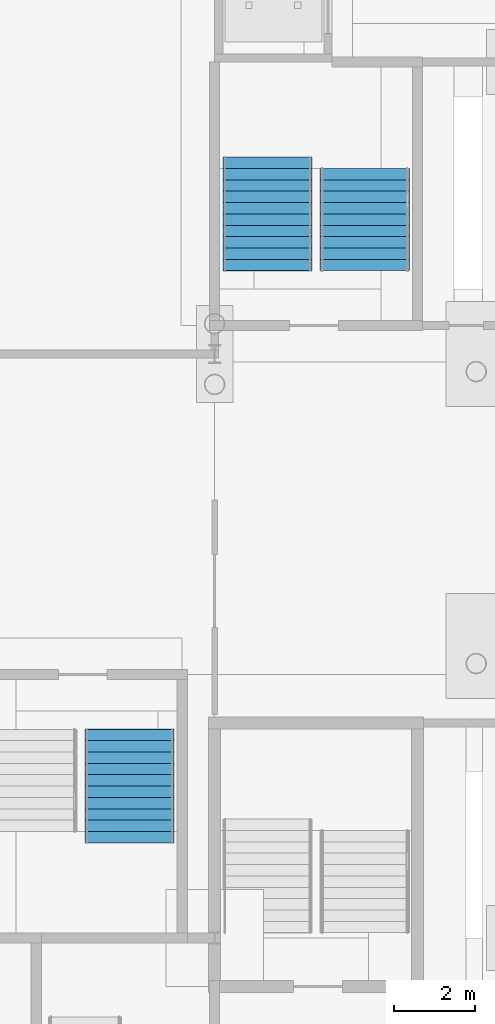
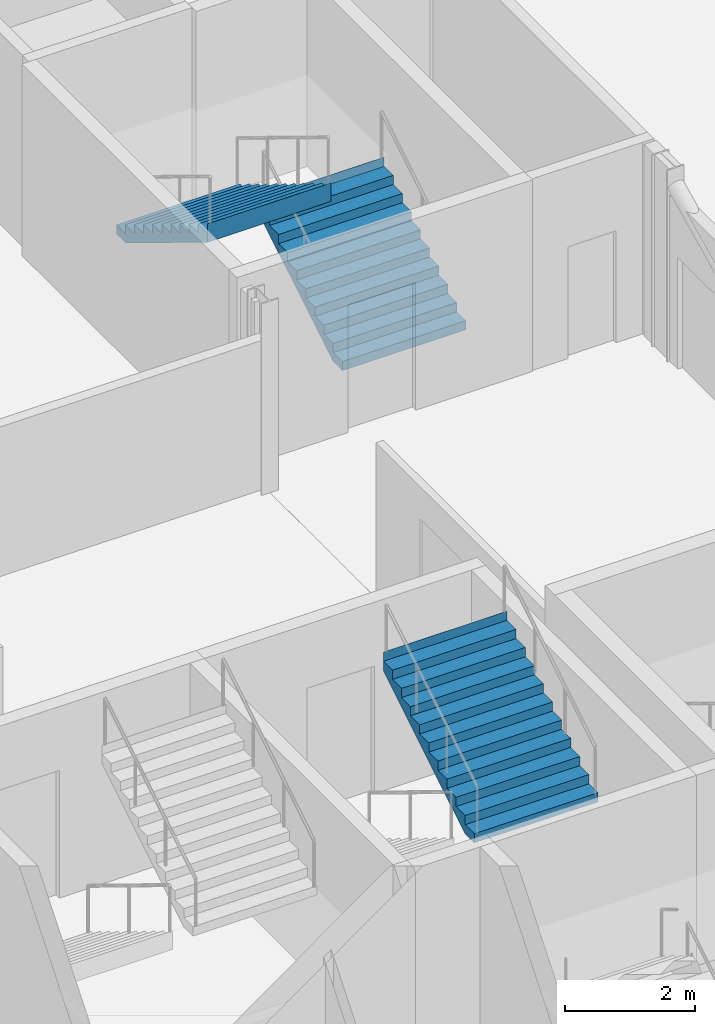
# One storey, part 99 of 148: 3 stair flights, 2 elements without a shape of their own.
"""IFC4 building model written with IfcOpenShell, lengths in metres."""

from ifc_helpers import new_model, si_unit, direction, frame, origin, place, context, subcontext, project, spatial, polyline, outline, extrude, material, type_object, element, aggregate, save


model = new_model("IFC4")

# Units and contexts
model_context = context("Model", 3, precision=1e-05, world=origin(), true_north=direction((0.0, 1.0)))
body_context = subcontext(model_context, "Body", "Model", "MODEL_VIEW")
ifc_project = project(units=[si_unit("LENGTHUNIT", "METRE"), si_unit("AREAUNIT", "SQUARE_METRE"), si_unit("VOLUMEUNIT", "CUBIC_METRE"), si_unit("PLANEANGLEUNIT", "RADIAN"), si_unit("MASSUNIT", "GRAM", prefix="KILO")], contexts=[model_context])

# Site, building, storey
site_placement = place(None, origin())
site = spatial("IfcSite", under=ifc_project, at=site_placement, CompositionType="ELEMENT")
building_placement = place(site_placement, origin())
building = spatial("IfcBuilding", under=site, at=building_placement, Name="Kupolbacken Congress Centre", CompositionType="ELEMENT")
storey_placement = place(building_placement, origin())
storey = spatial("IfcBuildingStorey", under=building, at=storey_placement, Name="L00", CompositionType="ELEMENT", Elevation=0.0)

# Stair, stair flight
ifc_material_1 = material(Name="Concrete C30/37", Category="concrete")
stair_type = type_object("IfcStairType", Name="ST13 stair 2200", PredefinedType="TWO_STRAIGHT_RUN_STAIR", material=ifc_material_1)
stair_1_placement = place(storey_placement, origin())
stair_1 = element("IfcStair", 1, at=stair_1_placement, inside=storey, type_object=stair_type, Name="C/stair/LS3/L00", PredefinedType="NOTDEFINED")
ifc_material_2 = material(Name="Concrete C30/37", Category="concrete")
stair_flight_type_1 = type_object("IfcStairFlightType", Name="FL13 stair flight 2200 x 10 risers", PredefinedType="STRAIGHT", material=ifc_material_2)
stair_flight_1_placement = place(storey_placement, frame((82.89990234375, 66.85498046875, 0.0), z_axis=(0.0, 0.0, 1.0), x_axis=(0.0, 1.0, 0.0)))
stair_flight_1 = element("IfcStairFlight", 2, at=stair_flight_1_placement, type_object=stair_flight_type_1, Name="LS3 flight 1", NumberOfRisers=10, NumberOfTreads=9, PredefinedType="STRAIGHT", RiserHeight=0.171428571, TreadLength=0.28, context=body_context, shape_type="SweptSolid", body=[
    extrude(outline(polyline([(0.0, 0.0), (0.0, 0.0009765625), (0.0, 0.002197265625), (0.0, 0.003173828125), (0.0, 0.004150390625), (0.0, 0.00537109375), (0.0, 0.00634765625), (0.0, 0.007568359375), (0.0, 0.008544921875), (0.0, 0.009521484375), (0.0, 0.0107421875), (0.0, 0.01171875), (0.0, 0.0126953125), (0.0, 0.013916015625), (0.0, 0.014892578125), (0.0, 0.015869140625), (0.0, 0.01708984375), (0.0, 0.01806640625), (0.0, 0.019287109375), (0.0, 0.020263671875), (0.0, 0.021240234375), (0.0, 0.0224609375), (0.0, 0.0234375), (0.0, 0.0244140625), (0.0, 0.025634765625), (0.0, 0.026611328125), (0.0, 0.027587890625), (0.0, 0.02880859375), (0.0, 0.02978515625), (0.0, 0.03076171875), (0.0, 0.031982421875), (0.0, 0.032958984375), (0.0, 0.0341796875), (0.0, 0.03515625), (0.0, 0.0361328125), (0.0, 0.037353515625), (0.0, 0.038330078125), (0.0, 0.039306640625), (0.0, 0.04052734375), (0.0, 0.04150390625), (0.0, 0.04248046875), (0.0, 0.043701171875), (0.0, 0.044677734375), (0.0, 0.0458984375), (0.0, 0.046875), (0.0, 0.0478515625), (0.0, 0.049072265625), (0.0, 0.050048828125), (0.0, 0.051025390625), (0.0, 0.05224609375), (0.0, 0.05322265625), (0.0, 0.05419921875), (0.0, 0.055419921875), (0.0, 0.056396484375), (0.0, 0.0576171875), (0.0, 0.05859375), (0.0, 0.0595703125), (0.0, 0.060791015625), (0.0, 0.061767578125), (0.0, 0.062744140625), (0.0, 0.06396484375), (0.0, 0.06494140625), (0.0, 0.06591796875), (0.0, 0.067138671875), (0.0, 0.068115234375), (0.0, 0.069091796875), (0.0, 0.0703125), (0.0, 0.0712890625), (0.0, 0.072509765625), (0.0, 0.073486328125), (0.0, 0.074462890625), (0.0, 0.07568359375), (0.0, 0.07666015625), (0.0, 0.07763671875), (0.0, 0.078857421875), (0.0, 0.079833984375), (0.0, 0.080810546875), (0.0, 0.08203125), (0.0, 0.0830078125), (0.0, 0.084228515625), (0.0, 0.085205078125), (0.0, 0.086181640625), (0.0, 0.08740234375), (0.0, 0.08837890625), (0.0, 0.08935546875), (0.0, 0.090576171875), (0.0, 0.091552734375), (0.0, 0.092529296875), (0.0, 0.09375), (0.0, 0.0947265625), (0.0, 0.095947265625), (0.0, 0.096923828125), (0.0, 0.097900390625), (0.0, 0.09912109375), (0.0, 0.10009765625), (0.0, 0.10107421875), (0.0, 0.102294921875), (0.0, 0.103271484375), (0.0, 0.104248046875), (0.0, 0.10546875), (0.0, 0.1064453125), (0.0, 0.107421875), (0.0, 0.108642578125), (0.0, 0.109619140625), (0.0, 0.11083984375), (0.0, 0.11181640625), (0.0, 0.11279296875), (0.0, 0.114013671875), (0.0, 0.114990234375), (0.0, 0.115966796875), (0.0, 0.1171875), (0.0, 0.1181640625), (0.0, 0.119140625), (0.0, 0.120361328125), (0.0, 0.121337890625), (0.0, 0.12255859375), (0.0, 0.12353515625), (0.0, 0.12451171875), (0.0, 0.125732421875), (0.0, 0.126708984375), (0.0, 0.127685546875), (0.0, 0.12890625), (0.0, 0.1298828125), (0.0, 0.130859375), (0.0, 0.132080078125), (0.0, 0.133056640625), (0.0, 0.13427734375), (0.0, 0.13525390625), (0.0, 0.13623046875), (0.0, 0.137451171875), (0.0, 0.138427734375), (0.0, 0.139404296875), (0.0, 0.140625), (0.0, 0.1416015625), (0.0, 0.142578125), (0.0, 0.143798828125), (0.0, 0.144775390625), (0.0, 0.145751953125), (0.0, 0.14697265625), (0.0, 0.14794921875), (0.0, 0.149169921875), (0.0, 0.150146484375), (0.0, 0.151123046875), (0.0, 0.15234375), (0.0, 0.1533203125), (0.0, 0.154296875), (0.0, 0.155517578125), (0.0, 0.156494140625), (0.0, 0.157470703125), (0.0, 0.15869140625), (0.0, 0.15966796875), (0.0, 0.160888671875), (0.0, 0.161865234375), (0.0, 0.162841796875), (0.0, 0.1640625), (0.0, 0.1650390625), (0.0, 0.166015625), (0.0, 0.167236328125), (0.0, 0.168212890625), (0.0, 0.169189453125), (0.0, 0.17041015625), (0.0, 0.17138671875), (0.280029296875, 0.17138671875), (0.280029296875, 0.3427734375), (0.56005859375, 0.3427734375), (0.56005859375, 0.514404296875), (0.840087890625, 0.514404296875), (0.840087890625, 0.685791015625), (1.1201171875, 0.685791015625), (1.1201171875, 0.857177734375), (1.39990234375, 0.857177734375), (1.39990234375, 1.028564453125), (1.679931640625, 1.028564453125), (1.679931640625, 1.199951171875), (1.9599609375, 1.199951171875), (1.9599609375, 1.371337890625), (2.239990234375, 1.371337890625), (2.239990234375, 1.54296875), (2.52001953125, 1.54296875), (2.52001953125, 1.71435546875), (2.52197265625, 1.71435546875), (2.52197265625, 1.712158203125), (2.52197265625, 1.7099609375), (2.52197265625, 1.707763671875), (2.52197265625, 1.70556640625), (2.52197265625, 1.70361328125), (2.52197265625, 1.701416015625), (2.52197265625, 1.69921875), (2.52197265625, 1.697021484375), (2.52197265625, 1.69482421875), (2.52197265625, 1.692626953125), (2.52197265625, 1.690673828125), (2.52197265625, 1.6884765625), (2.52197265625, 1.686279296875), (2.52197265625, 1.68408203125), (2.52197265625, 1.681884765625), (2.52197265625, 1.6796875), (2.52197265625, 1.677734375), (2.52197265625, 1.675537109375), (2.52197265625, 1.67333984375), (2.52197265625, 1.671142578125), (2.52197265625, 1.6689453125), (2.52197265625, 1.666748046875), (2.52197265625, 1.664794921875), (2.52197265625, 1.66259765625), (2.52197265625, 1.660400390625), (2.52197265625, 1.658203125), (2.52197265625, 1.656005859375), (2.52197265625, 1.65380859375), (2.52197265625, 1.65185546875), (2.52197265625, 1.649658203125), (2.52197265625, 1.6474609375), (2.52197265625, 1.645263671875), (2.52197265625, 1.64306640625), (2.52197265625, 1.640869140625), (2.52197265625, 1.638916015625), (2.52197265625, 1.63671875), (2.52197265625, 1.634521484375), (2.52197265625, 1.63232421875), (2.52197265625, 1.630126953125), (2.52197265625, 1.6279296875), (2.52197265625, 1.6259765625), (2.52197265625, 1.623779296875), (2.52197265625, 1.62158203125), (2.52197265625, 1.619384765625), (2.52197265625, 1.6171875), (2.52197265625, 1.614990234375), (2.52197265625, 1.613037109375), (2.52197265625, 1.61083984375), (2.52197265625, 1.608642578125), (2.52197265625, 1.6064453125), (2.52197265625, 1.604248046875), (2.52197265625, 1.60205078125), (2.52197265625, 1.60009765625), (2.52197265625, 1.597900390625), (2.52197265625, 1.595703125), (2.52197265625, 1.593505859375), (2.52197265625, 1.59130859375), (2.52197265625, 1.589111328125), (2.52197265625, 1.587158203125), (2.52197265625, 1.5849609375), (2.52197265625, 1.582763671875), (2.52197265625, 1.58056640625), (2.52197265625, 1.578369140625), (2.52197265625, 1.576171875), (2.52197265625, 1.57421875), (2.52197265625, 1.572021484375), (2.52197265625, 1.56982421875), (2.52197265625, 1.567626953125), (2.52197265625, 1.5654296875), (2.52197265625, 1.563232421875), (2.52197265625, 1.561279296875), (2.52197265625, 1.55908203125), (2.52197265625, 1.556884765625), (2.52197265625, 1.5546875), (2.52197265625, 1.552490234375), (2.52197265625, 1.55029296875), (2.52197265625, 1.54833984375), (2.52197265625, 1.546142578125), (2.52197265625, 1.5439453125), (2.52197265625, 1.541748046875), (2.52197265625, 1.53955078125), (2.52197265625, 1.537353515625), (2.52197265625, 1.535400390625), (2.52197265625, 1.533203125), (2.52197265625, 1.531005859375), (2.52197265625, 1.52880859375), (2.52197265625, 1.526611328125), (2.52197265625, 1.5244140625), (2.52197265625, 1.5224609375), (2.52197265625, 1.520263671875), (2.52197265625, 1.51806640625), (2.52197265625, 1.515869140625), (2.52197265625, 1.513671875), (2.52197265625, 1.511474609375), (2.52197265625, 1.509521484375), (2.52197265625, 1.50732421875), (2.52197265625, 1.505126953125), (2.52197265625, 1.5029296875), (2.52197265625, 1.500732421875), (2.52197265625, 1.49853515625), (2.52197265625, 1.49658203125), (2.52197265625, 1.494384765625), (2.52197265625, 1.4921875), (2.52197265625, 1.489990234375), (2.52197265625, 1.48779296875), (2.52197265625, 1.485595703125), (2.52197265625, 1.483642578125), (2.52197265625, 1.4814453125), (2.52197265625, 1.479248046875), (2.52197265625, 1.47705078125), (2.52197265625, 1.474853515625), (2.52197265625, 1.47265625), (2.52197265625, 1.470703125), (2.52197265625, 1.468505859375), (2.52197265625, 1.46630859375), (2.52197265625, 1.464111328125), (2.52197265625, 1.4619140625), (2.52197265625, 1.459716796875), (2.52197265625, 1.457763671875), (2.52197265625, 1.45556640625), (2.52197265625, 1.453369140625), (2.52197265625, 1.451171875), (2.52197265625, 1.448974609375), (2.52197265625, 1.44677734375), (2.52197265625, 1.44482421875), (2.52197265625, 1.442626953125), (2.52197265625, 1.4404296875), (2.52197265625, 1.438232421875), (2.52197265625, 1.43603515625), (2.52197265625, 1.433837890625), (2.52197265625, 1.431884765625), (2.52197265625, 1.4296875), (2.52197265625, 1.427490234375), (2.52197265625, 1.42529296875), (2.52197265625, 1.423095703125), (2.52197265625, 1.4208984375), (2.52197265625, 1.4189453125), (2.52197265625, 1.416748046875), (2.52197265625, 1.41455078125), (2.52197265625, 1.412353515625), (2.52197265625, 1.41015625), (2.52197265625, 1.407958984375), (2.52197265625, 1.406005859375), (2.52197265625, 1.40380859375), (2.52197265625, 1.401611328125), (2.52197265625, 1.3994140625), (2.52197265625, 1.397216796875), (2.52197265625, 1.39501953125), (2.52197265625, 1.39306640625), (2.52197265625, 1.390869140625), (2.52197265625, 1.388671875), (2.52197265625, 1.386474609375), (2.52197265625, 1.38427734375), (2.52197265625, 1.382080078125), (2.52197265625, 1.380126953125), (2.52197265625, 1.3779296875), (2.52197265625, 1.375732421875), (2.52197265625, 1.37353515625), (2.52197265625, 1.371337890625), (2.52197265625, 1.369140625), (2.52197265625, 1.3671875), (0.2890625, 0.0), (0.0, 0.0)])), frame((0.0, 1.10009765625, 0.0), z_axis=(0.0, -1.0, 0.0), x_axis=(1.0, 0.0, 0.0)), (0.0, 0.0, 1.0), 2.199951171875),
])

stair_2_placement = place(storey_placement, origin())
stair_2 = element("IfcStair", 3, at=stair_2_placement, inside=storey, type_object=stair_type, Name="C/stair/PS2SE/L00", PredefinedType="NOTDEFINED")
ifc_material_3 = material(Name="Concrete C30/37", Category="concrete")
stair_flight_type_2 = type_object("IfcStairFlightType", Name="FL14 stair flight 2200 x 11 risers", PredefinedType="STRAIGHT", material=ifc_material_3)
stair_flight_2_placement = place(storey_placement, frame((77.10009765625, 52.7451171875, 1.71435546875), z_axis=(0.0, 0.0, 1.0), x_axis=(0.0, 1.0, 0.0)))
stair_flight_2 = element("IfcStairFlight", 4, at=stair_flight_2_placement, type_object=stair_flight_type_2, Name="PS2SE flight 2", NumberOfRisers=11, NumberOfTreads=10, PredefinedType="STRAIGHT", RiserHeight=0.171428571, TreadLength=0.28, context=body_context, shape_type="SweptSolid", body=[
    extrude(outline(polyline([(0.0, 0.0), (0.0, 0.0009765625), (0.0, 0.002197265625), (0.0, 0.003173828125), (0.0, 0.004150390625), (0.0, 0.00537109375), (0.0, 0.00634765625), (0.0, 0.007568359375), (0.0, 0.008544921875), (0.0, 0.009521484375), (0.0, 0.0107421875), (0.0, 0.01171875), (0.0, 0.0126953125), (0.0, 0.013916015625), (0.0, 0.014892578125), (0.0, 0.015869140625), (0.0, 0.01708984375), (0.0, 0.01806640625), (0.0, 0.019287109375), (0.0, 0.020263671875), (0.0, 0.021240234375), (0.0, 0.0224609375), (0.0, 0.0234375), (0.0, 0.0244140625), (0.0, 0.025634765625), (0.0, 0.026611328125), (0.0, 0.027587890625), (0.0, 0.02880859375), (0.0, 0.02978515625), (0.0, 0.03076171875), (0.0, 0.031982421875), (0.0, 0.032958984375), (0.0, 0.0341796875), (0.0, 0.03515625), (0.0, 0.0361328125), (0.0, 0.037353515625), (0.0, 0.038330078125), (0.0, 0.039306640625), (0.0, 0.04052734375), (0.0, 0.04150390625), (0.0, 0.04248046875), (0.0, 0.043701171875), (0.0, 0.044677734375), (0.0, 0.0458984375), (0.0, 0.046875), (0.0, 0.0478515625), (0.0, 0.049072265625), (0.0, 0.050048828125), (0.0, 0.051025390625), (0.0, 0.05224609375), (0.0, 0.05322265625), (0.0, 0.05419921875), (0.0, 0.055419921875), (0.0, 0.056396484375), (0.0, 0.0576171875), (0.0, 0.05859375), (0.0, 0.0595703125), (0.0, 0.060791015625), (0.0, 0.061767578125), (0.0, 0.062744140625), (0.0, 0.06396484375), (0.0, 0.06494140625), (0.0, 0.06591796875), (0.0, 0.067138671875), (0.0, 0.068115234375), (0.0, 0.069091796875), (0.0, 0.0703125), (0.0, 0.0712890625), (0.0, 0.072509765625), (0.0, 0.073486328125), (0.0, 0.074462890625), (0.0, 0.07568359375), (0.0, 0.07666015625), (0.0, 0.07763671875), (0.0, 0.078857421875), (0.0, 0.079833984375), (0.0, 0.080810546875), (0.0, 0.08203125), (0.0, 0.0830078125), (0.0, 0.084228515625), (0.0, 0.085205078125), (0.0, 0.086181640625), (0.0, 0.08740234375), (0.0, 0.08837890625), (0.0, 0.08935546875), (0.0, 0.090576171875), (0.0, 0.091552734375), (0.0, 0.092529296875), (0.0, 0.09375), (0.0, 0.0947265625), (0.0, 0.095947265625), (0.0, 0.096923828125), (0.0, 0.097900390625), (0.0, 0.09912109375), (0.0, 0.10009765625), (0.0, 0.10107421875), (0.0, 0.102294921875), (0.0, 0.103271484375), (0.0, 0.104248046875), (0.0, 0.10546875), (0.0, 0.1064453125), (0.0, 0.107421875), (0.0, 0.108642578125), (0.0, 0.109619140625), (0.0, 0.11083984375), (0.0, 0.11181640625), (0.0, 0.11279296875), (0.0, 0.114013671875), (0.0, 0.114990234375), (0.0, 0.115966796875), (0.0, 0.1171875), (0.0, 0.1181640625), (0.0, 0.119140625), (0.0, 0.120361328125), (0.0, 0.121337890625), (0.0, 0.12255859375), (0.0, 0.12353515625), (0.0, 0.12451171875), (0.0, 0.125732421875), (0.0, 0.126708984375), (0.0, 0.127685546875), (0.0, 0.12890625), (0.0, 0.1298828125), (0.0, 0.130859375), (0.0, 0.132080078125), (0.0, 0.133056640625), (0.0, 0.13427734375), (0.0, 0.13525390625), (0.0, 0.13623046875), (0.0, 0.137451171875), (0.0, 0.138427734375), (0.0, 0.139404296875), (0.0, 0.140625), (0.0, 0.1416015625), (0.0, 0.142578125), (0.0, 0.143798828125), (0.0, 0.144775390625), (0.0, 0.145751953125), (0.0, 0.14697265625), (0.0, 0.14794921875), (0.0, 0.149169921875), (0.0, 0.150146484375), (0.0, 0.151123046875), (0.0, 0.15234375), (0.0, 0.1533203125), (0.0, 0.154296875), (0.0, 0.155517578125), (0.0, 0.156494140625), (0.0, 0.157470703125), (0.0, 0.15869140625), (0.0, 0.15966796875), (0.0, 0.160888671875), (0.0, 0.161865234375), (0.0, 0.162841796875), (0.0, 0.1640625), (0.0, 0.1650390625), (0.0, 0.166015625), (0.0, 0.167236328125), (0.0, 0.168212890625), (0.0, 0.169189453125), (0.0, 0.17041015625), (0.0, 0.17138671875), (0.280029296875, 0.17138671875), (0.280029296875, 0.3427734375), (0.56005859375, 0.3427734375), (0.56005859375, 0.514404296875), (0.840087890625, 0.514404296875), (0.840087890625, 0.685791015625), (1.1201171875, 0.685791015625), (1.1201171875, 0.857177734375), (1.39990234375, 0.857177734375), (1.39990234375, 1.028564453125), (1.679931640625, 1.028564453125), (1.679931640625, 1.199951171875), (1.9599609375, 1.199951171875), (1.9599609375, 1.371337890625), (2.239990234375, 1.371337890625), (2.239990234375, 1.54296875), (2.52001953125, 1.54296875), (2.52001953125, 1.71435546875), (2.800048828125, 1.71435546875), (2.800048828125, 1.8857421875), (2.802001953125, 1.8857421875), (2.802001953125, 1.883544921875), (2.802001953125, 1.88134765625), (2.802001953125, 1.879150390625), (2.802001953125, 1.877197265625), (2.802001953125, 1.875), (2.802001953125, 1.872802734375), (2.802001953125, 1.87060546875), (2.802001953125, 1.868408203125), (2.802001953125, 1.8662109375), (2.802001953125, 1.8642578125), (2.802001953125, 1.862060546875), (2.802001953125, 1.85986328125), (2.802001953125, 1.857666015625), (2.802001953125, 1.85546875), (2.802001953125, 1.853271484375), (2.802001953125, 1.851318359375), (2.802001953125, 1.84912109375), (2.802001953125, 1.846923828125), (2.802001953125, 1.8447265625), (2.802001953125, 1.842529296875), (2.802001953125, 1.84033203125), (2.802001953125, 1.83837890625), (2.802001953125, 1.836181640625), (2.802001953125, 1.833984375), (2.802001953125, 1.831787109375), (2.802001953125, 1.82958984375), (2.802001953125, 1.827392578125), (2.802001953125, 1.825439453125), (2.802001953125, 1.8232421875), (2.802001953125, 1.821044921875), (2.802001953125, 1.81884765625), (2.802001953125, 1.816650390625), (2.802001953125, 1.814453125), (2.802001953125, 1.8125), (2.802001953125, 1.810302734375), (2.802001953125, 1.80810546875), (2.802001953125, 1.805908203125), (2.802001953125, 1.8037109375), (2.802001953125, 1.801513671875), (2.802001953125, 1.799560546875), (2.802001953125, 1.79736328125), (2.802001953125, 1.795166015625), (2.802001953125, 1.79296875), (2.802001953125, 1.790771484375), (2.802001953125, 1.78857421875), (2.802001953125, 1.78662109375), (2.802001953125, 1.784423828125), (2.802001953125, 1.7822265625), (2.802001953125, 1.780029296875), (2.802001953125, 1.77783203125), (2.802001953125, 1.775634765625), (2.802001953125, 1.773681640625), (2.802001953125, 1.771484375), (2.802001953125, 1.769287109375), (2.802001953125, 1.76708984375), (2.802001953125, 1.764892578125), (2.802001953125, 1.7626953125), (2.802001953125, 1.7607421875), (2.802001953125, 1.758544921875), (2.802001953125, 1.75634765625), (2.802001953125, 1.754150390625), (2.802001953125, 1.751953125), (2.802001953125, 1.749755859375), (2.802001953125, 1.747802734375), (2.802001953125, 1.74560546875), (2.802001953125, 1.743408203125), (2.802001953125, 1.7412109375), (2.802001953125, 1.739013671875), (2.802001953125, 1.73681640625), (2.802001953125, 1.73486328125), (2.802001953125, 1.732666015625), (2.802001953125, 1.73046875), (2.802001953125, 1.728271484375), (2.802001953125, 1.72607421875), (2.802001953125, 1.723876953125), (2.802001953125, 1.721923828125), (2.802001953125, 1.7197265625), (2.802001953125, 1.717529296875), (2.802001953125, 1.71533203125), (2.802001953125, 1.713134765625), (2.802001953125, 1.7109375), (2.802001953125, 1.708984375), (2.802001953125, 1.706787109375), (2.802001953125, 1.70458984375), (2.802001953125, 1.702392578125), (2.802001953125, 1.7001953125), (2.802001953125, 1.697998046875), (2.802001953125, 1.696044921875), (2.802001953125, 1.69384765625), (2.802001953125, 1.691650390625), (2.802001953125, 1.689453125), (2.802001953125, 1.687255859375), (2.802001953125, 1.68505859375), (2.802001953125, 1.68310546875), (2.802001953125, 1.680908203125), (2.802001953125, 1.6787109375), (2.802001953125, 1.676513671875), (2.802001953125, 1.67431640625), (2.802001953125, 1.672119140625), (2.802001953125, 1.670166015625), (2.802001953125, 1.66796875), (2.802001953125, 1.665771484375), (2.802001953125, 1.66357421875), (2.802001953125, 1.661376953125), (2.802001953125, 1.6591796875), (2.802001953125, 1.6572265625), (2.802001953125, 1.655029296875), (2.802001953125, 1.65283203125), (2.802001953125, 1.650634765625), (2.802001953125, 1.6484375), (2.802001953125, 1.646240234375), (2.802001953125, 1.644287109375), (2.802001953125, 1.64208984375), (2.802001953125, 1.639892578125), (2.802001953125, 1.6376953125), (2.802001953125, 1.635498046875), (2.802001953125, 1.63330078125), (2.802001953125, 1.63134765625), (2.802001953125, 1.629150390625), (2.802001953125, 1.626953125), (2.802001953125, 1.624755859375), (2.802001953125, 1.62255859375), (2.802001953125, 1.620361328125), (2.802001953125, 1.618408203125), (2.802001953125, 1.6162109375), (2.802001953125, 1.614013671875), (2.802001953125, 1.61181640625), (2.802001953125, 1.609619140625), (2.802001953125, 1.607421875), (2.802001953125, 1.60546875), (2.802001953125, 1.603271484375), (2.802001953125, 1.60107421875), (2.802001953125, 1.598876953125), (2.802001953125, 1.5966796875), (2.802001953125, 1.594482421875), (2.802001953125, 1.592529296875), (2.802001953125, 1.59033203125), (2.802001953125, 1.588134765625), (2.802001953125, 1.5859375), (2.802001953125, 1.583740234375), (2.802001953125, 1.58154296875), (2.802001953125, 1.57958984375), (2.802001953125, 1.577392578125), (2.802001953125, 1.5751953125), (2.802001953125, 1.572998046875), (2.802001953125, 1.57080078125), (2.802001953125, 1.568603515625), (2.802001953125, 1.566650390625), (2.802001953125, 1.564453125), (2.802001953125, 1.562255859375), (2.802001953125, 1.56005859375), (2.802001953125, 1.557861328125), (2.802001953125, 1.5556640625), (2.802001953125, 1.5537109375), (2.802001953125, 1.551513671875), (2.802001953125, 1.54931640625), (2.802001953125, 1.547119140625), (2.802001953125, 1.544921875), (2.802001953125, 1.542724609375), (2.802001953125, 1.540771484375), (2.802001953125, 1.53857421875), (0.2890625, 0.0), (0.0, 0.0)])), frame((0.0, 1.10009765625, 0.0), z_axis=(0.0, -1.0, 0.0), x_axis=(1.0, 0.0, 0.0)), (0.0, 0.0, 1.0), 2.199951171875),
])
aggregate(stair_2, [stair_flight_2])

# Stair flight
stair_flight_3_placement = place(storey_placement, frame((80.5, 69.655029296875, 1.71435546875), z_axis=(0.0, 0.0, 1.0), x_axis=(0.0, -1.0, 0.0)))
stair_flight_3 = element("IfcStairFlight", 5, at=stair_flight_3_placement, type_object=stair_flight_type_2, Name="LS3 flight 2", NumberOfRisers=11, NumberOfTreads=10, PredefinedType="STRAIGHT", RiserHeight=0.171428571, TreadLength=0.28, context=body_context, shape_type="SweptSolid", body=[
    extrude(outline(polyline([(0.0, 0.0), (0.0, 0.0009765625), (0.0, 0.002197265625), (0.0, 0.003173828125), (0.0, 0.004150390625), (0.0, 0.00537109375), (0.0, 0.00634765625), (0.0, 0.007568359375), (0.0, 0.008544921875), (0.0, 0.009521484375), (0.0, 0.0107421875), (0.0, 0.01171875), (0.0, 0.0126953125), (0.0, 0.013916015625), (0.0, 0.014892578125), (0.0, 0.015869140625), (0.0, 0.01708984375), (0.0, 0.01806640625), (0.0, 0.019287109375), (0.0, 0.020263671875), (0.0, 0.021240234375), (0.0, 0.0224609375), (0.0, 0.0234375), (0.0, 0.0244140625), (0.0, 0.025634765625), (0.0, 0.026611328125), (0.0, 0.027587890625), (0.0, 0.02880859375), (0.0, 0.02978515625), (0.0, 0.03076171875), (0.0, 0.031982421875), (0.0, 0.032958984375), (0.0, 0.0341796875), (0.0, 0.03515625), (0.0, 0.0361328125), (0.0, 0.037353515625), (0.0, 0.038330078125), (0.0, 0.039306640625), (0.0, 0.04052734375), (0.0, 0.04150390625), (0.0, 0.04248046875), (0.0, 0.043701171875), (0.0, 0.044677734375), (0.0, 0.0458984375), (0.0, 0.046875), (0.0, 0.0478515625), (0.0, 0.049072265625), (0.0, 0.050048828125), (0.0, 0.051025390625), (0.0, 0.05224609375), (0.0, 0.05322265625), (0.0, 0.05419921875), (0.0, 0.055419921875), (0.0, 0.056396484375), (0.0, 0.0576171875), (0.0, 0.05859375), (0.0, 0.0595703125), (0.0, 0.060791015625), (0.0, 0.061767578125), (0.0, 0.062744140625), (0.0, 0.06396484375), (0.0, 0.06494140625), (0.0, 0.06591796875), (0.0, 0.067138671875), (0.0, 0.068115234375), (0.0, 0.069091796875), (0.0, 0.0703125), (0.0, 0.0712890625), (0.0, 0.072509765625), (0.0, 0.073486328125), (0.0, 0.074462890625), (0.0, 0.07568359375), (0.0, 0.07666015625), (0.0, 0.07763671875), (0.0, 0.078857421875), (0.0, 0.079833984375), (0.0, 0.080810546875), (0.0, 0.08203125), (0.0, 0.0830078125), (0.0, 0.084228515625), (0.0, 0.085205078125), (0.0, 0.086181640625), (0.0, 0.08740234375), (0.0, 0.08837890625), (0.0, 0.08935546875), (0.0, 0.090576171875), (0.0, 0.091552734375), (0.0, 0.092529296875), (0.0, 0.09375), (0.0, 0.0947265625), (0.0, 0.095947265625), (0.0, 0.096923828125), (0.0, 0.097900390625), (0.0, 0.09912109375), (0.0, 0.10009765625), (0.0, 0.10107421875), (0.0, 0.102294921875), (0.0, 0.103271484375), (0.0, 0.104248046875), (0.0, 0.10546875), (0.0, 0.1064453125), (0.0, 0.107421875), (0.0, 0.108642578125), (0.0, 0.109619140625), (0.0, 0.11083984375), (0.0, 0.11181640625), (0.0, 0.11279296875), (0.0, 0.114013671875), (0.0, 0.114990234375), (0.0, 0.115966796875), (0.0, 0.1171875), (0.0, 0.1181640625), (0.0, 0.119140625), (0.0, 0.120361328125), (0.0, 0.121337890625), (0.0, 0.12255859375), (0.0, 0.12353515625), (0.0, 0.12451171875), (0.0, 0.125732421875), (0.0, 0.126708984375), (0.0, 0.127685546875), (0.0, 0.12890625), (0.0, 0.1298828125), (0.0, 0.130859375), (0.0, 0.132080078125), (0.0, 0.133056640625), (0.0, 0.13427734375), (0.0, 0.13525390625), (0.0, 0.13623046875), (0.0, 0.137451171875), (0.0, 0.138427734375), (0.0, 0.139404296875), (0.0, 0.140625), (0.0, 0.1416015625), (0.0, 0.142578125), (0.0, 0.143798828125), (0.0, 0.144775390625), (0.0, 0.145751953125), (0.0, 0.14697265625), (0.0, 0.14794921875), (0.0, 0.149169921875), (0.0, 0.150146484375), (0.0, 0.151123046875), (0.0, 0.15234375), (0.0, 0.1533203125), (0.0, 0.154296875), (0.0, 0.155517578125), (0.0, 0.156494140625), (0.0, 0.157470703125), (0.0, 0.15869140625), (0.0, 0.15966796875), (0.0, 0.160888671875), (0.0, 0.161865234375), (0.0, 0.162841796875), (0.0, 0.1640625), (0.0, 0.1650390625), (0.0, 0.166015625), (0.0, 0.167236328125), (0.0, 0.168212890625), (0.0, 0.169189453125), (0.0, 0.17041015625), (0.0, 0.17138671875), (0.280029296875, 0.17138671875), (0.280029296875, 0.3427734375), (0.56005859375, 0.3427734375), (0.56005859375, 0.514404296875), (0.840087890625, 0.514404296875), (0.840087890625, 0.685791015625), (1.1201171875, 0.685791015625), (1.1201171875, 0.857177734375), (1.39990234375, 0.857177734375), (1.39990234375, 1.028564453125), (1.679931640625, 1.028564453125), (1.679931640625, 1.199951171875), (1.9599609375, 1.199951171875), (1.9599609375, 1.371337890625), (2.239990234375, 1.371337890625), (2.239990234375, 1.54296875), (2.52001953125, 1.54296875), (2.52001953125, 1.71435546875), (2.800048828125, 1.71435546875), (2.800048828125, 1.8857421875), (2.802001953125, 1.8857421875), (2.802001953125, 1.883544921875), (2.802001953125, 1.88134765625), (2.802001953125, 1.879150390625), (2.802001953125, 1.877197265625), (2.802001953125, 1.875), (2.802001953125, 1.872802734375), (2.802001953125, 1.87060546875), (2.802001953125, 1.868408203125), (2.802001953125, 1.8662109375), (2.802001953125, 1.8642578125), (2.802001953125, 1.862060546875), (2.802001953125, 1.85986328125), (2.802001953125, 1.857666015625), (2.802001953125, 1.85546875), (2.802001953125, 1.853271484375), (2.802001953125, 1.851318359375), (2.802001953125, 1.84912109375), (2.802001953125, 1.846923828125), (2.802001953125, 1.8447265625), (2.802001953125, 1.842529296875), (2.802001953125, 1.84033203125), (2.802001953125, 1.83837890625), (2.802001953125, 1.836181640625), (2.802001953125, 1.833984375), (2.802001953125, 1.831787109375), (2.802001953125, 1.82958984375), (2.802001953125, 1.827392578125), (2.802001953125, 1.825439453125), (2.802001953125, 1.8232421875), (2.802001953125, 1.821044921875), (2.802001953125, 1.81884765625), (2.802001953125, 1.816650390625), (2.802001953125, 1.814453125), (2.802001953125, 1.8125), (2.802001953125, 1.810302734375), (2.802001953125, 1.80810546875), (2.802001953125, 1.805908203125), (2.802001953125, 1.8037109375), (2.802001953125, 1.801513671875), (2.802001953125, 1.799560546875), (2.802001953125, 1.79736328125), (2.802001953125, 1.795166015625), (2.802001953125, 1.79296875), (2.802001953125, 1.790771484375), (2.802001953125, 1.78857421875), (2.802001953125, 1.78662109375), (2.802001953125, 1.784423828125), (2.802001953125, 1.7822265625), (2.802001953125, 1.780029296875), (2.802001953125, 1.77783203125), (2.802001953125, 1.775634765625), (2.802001953125, 1.773681640625), (2.802001953125, 1.771484375), (2.802001953125, 1.769287109375), (2.802001953125, 1.76708984375), (2.802001953125, 1.764892578125), (2.802001953125, 1.7626953125), (2.802001953125, 1.7607421875), (2.802001953125, 1.758544921875), (2.802001953125, 1.75634765625), (2.802001953125, 1.754150390625), (2.802001953125, 1.751953125), (2.802001953125, 1.749755859375), (2.802001953125, 1.747802734375), (2.802001953125, 1.74560546875), (2.802001953125, 1.743408203125), (2.802001953125, 1.7412109375), (2.802001953125, 1.739013671875), (2.802001953125, 1.73681640625), (2.802001953125, 1.73486328125), (2.802001953125, 1.732666015625), (2.802001953125, 1.73046875), (2.802001953125, 1.728271484375), (2.802001953125, 1.72607421875), (2.802001953125, 1.723876953125), (2.802001953125, 1.721923828125), (2.802001953125, 1.7197265625), (2.802001953125, 1.717529296875), (2.802001953125, 1.71533203125), (2.802001953125, 1.713134765625), (2.802001953125, 1.7109375), (2.802001953125, 1.708984375), (2.802001953125, 1.706787109375), (2.802001953125, 1.70458984375), (2.802001953125, 1.702392578125), (2.802001953125, 1.7001953125), (2.802001953125, 1.697998046875), (2.802001953125, 1.696044921875), (2.802001953125, 1.69384765625), (2.802001953125, 1.691650390625), (2.802001953125, 1.689453125), (2.802001953125, 1.687255859375), (2.802001953125, 1.68505859375), (2.802001953125, 1.68310546875), (2.802001953125, 1.680908203125), (2.802001953125, 1.6787109375), (2.802001953125, 1.676513671875), (2.802001953125, 1.67431640625), (2.802001953125, 1.672119140625), (2.802001953125, 1.670166015625), (2.802001953125, 1.66796875), (2.802001953125, 1.665771484375), (2.802001953125, 1.66357421875), (2.802001953125, 1.661376953125), (2.802001953125, 1.6591796875), (2.802001953125, 1.6572265625), (2.802001953125, 1.655029296875), (2.802001953125, 1.65283203125), (2.802001953125, 1.650634765625), (2.802001953125, 1.6484375), (2.802001953125, 1.646240234375), (2.802001953125, 1.644287109375), (2.802001953125, 1.64208984375), (2.802001953125, 1.639892578125), (2.802001953125, 1.6376953125), (2.802001953125, 1.635498046875), (2.802001953125, 1.63330078125), (2.802001953125, 1.63134765625), (2.802001953125, 1.629150390625), (2.802001953125, 1.626953125), (2.802001953125, 1.624755859375), (2.802001953125, 1.62255859375), (2.802001953125, 1.620361328125), (2.802001953125, 1.618408203125), (2.802001953125, 1.6162109375), (2.802001953125, 1.614013671875), (2.802001953125, 1.61181640625), (2.802001953125, 1.609619140625), (2.802001953125, 1.607421875), (2.802001953125, 1.60546875), (2.802001953125, 1.603271484375), (2.802001953125, 1.60107421875), (2.802001953125, 1.598876953125), (2.802001953125, 1.5966796875), (2.802001953125, 1.594482421875), (2.802001953125, 1.592529296875), (2.802001953125, 1.59033203125), (2.802001953125, 1.588134765625), (2.802001953125, 1.5859375), (2.802001953125, 1.583740234375), (2.802001953125, 1.58154296875), (2.802001953125, 1.57958984375), (2.802001953125, 1.577392578125), (2.802001953125, 1.5751953125), (2.802001953125, 1.572998046875), (2.802001953125, 1.57080078125), (2.802001953125, 1.568603515625), (2.802001953125, 1.566650390625), (2.802001953125, 1.564453125), (2.802001953125, 1.562255859375), (2.802001953125, 1.56005859375), (2.802001953125, 1.557861328125), (2.802001953125, 1.5556640625), (2.802001953125, 1.5537109375), (2.802001953125, 1.551513671875), (2.802001953125, 1.54931640625), (2.802001953125, 1.547119140625), (2.802001953125, 1.544921875), (2.802001953125, 1.542724609375), (2.802001953125, 1.540771484375), (2.802001953125, 1.53857421875), (0.2890625, 0.0), (0.0, 0.0)])), frame((0.0, 1.10009765625, 0.0), z_axis=(0.0, -1.0, 0.0), x_axis=(1.0, 0.0, 0.0)), (0.0, 0.0, 1.0), 2.199951171875),
])

aggregate(stair_1, [stair_flight_1, stair_flight_3])

save(model, "model.ifc")
